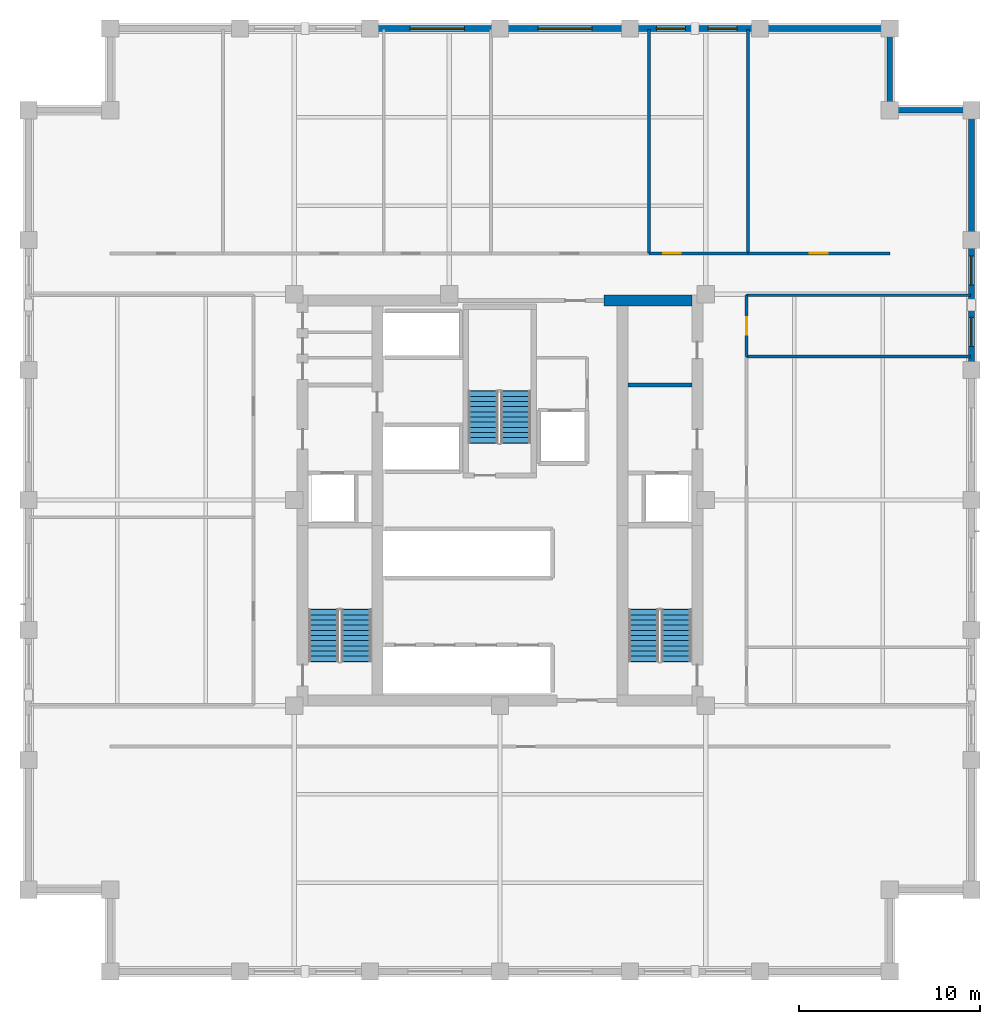
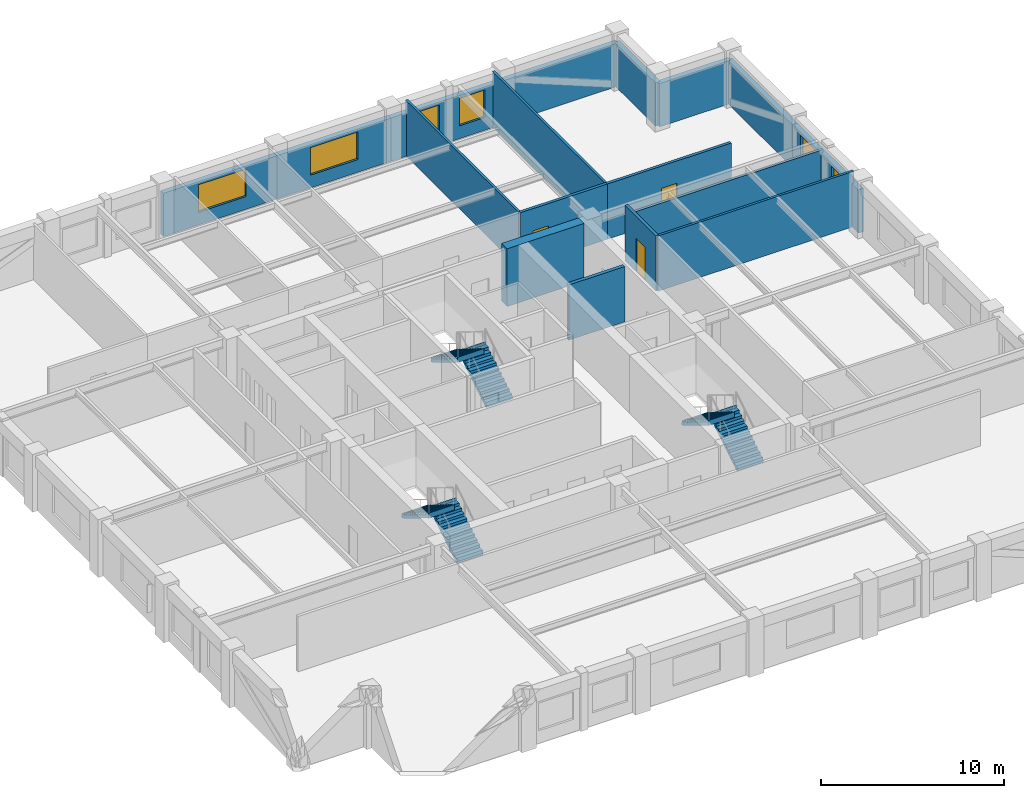
# One storey, part 8 of 9: 17 walls, 6 stair flights, 6 windows, 3 doors, 9 openings, 3 elements without a shape of their own.
"""IFC4 building model written with IfcOpenShell, lengths in metres."""

from ifc_helpers import new_model, si_unit, direction, frame, frame_2d, origin, place, context, subcontext, project, spatial, polyline, rectangle, outline, extrude, material, layer, layer_set, type_object, element, fill, aggregate, save


model = new_model("IFC4")

# Units and contexts
model_context = context("Model", 3, precision=1e-05, world=origin(), true_north=direction((0.0, 1.0)))
body_context = subcontext(model_context, "Body", "Model", "MODEL_VIEW")
ifc_project = project(units=[si_unit("LENGTHUNIT", "METRE"), si_unit("AREAUNIT", "SQUARE_METRE"), si_unit("VOLUMEUNIT", "CUBIC_METRE"), si_unit("PLANEANGLEUNIT", "RADIAN"), si_unit("MASSUNIT", "GRAM", prefix="KILO")], contexts=[model_context])

# Site, building, storey
site_placement = place(None, origin())
site = spatial("IfcSite", under=ifc_project, at=site_placement, CompositionType="ELEMENT")
building_placement = place(site_placement, origin())
building = spatial("IfcBuilding", under=site, at=building_placement, Name="Nhamokura Convention Tower", CompositionType="ELEMENT")
storey_placement = place(building_placement, frame((0.0, 0.0, 118.300048828125)))
storey = spatial("IfcBuildingStorey", under=building, at=storey_placement, Name="L28", CompositionType="ELEMENT", Elevation=118.300048828125)

# Wall, opening, window
ifc_material_1 = material(Name="Bronze-pigmented precast concrete C45/55", Category="concrete")
ifc_layer_1 = layer(ifc_material_1, 0.320068359375)
ifc_layer_set_1 = layer_set([ifc_layer_1], Name="BronzePrecastSpandrel_320")
wall_type_1 = type_object("IfcWallType", Name="BronzePrecastSpandrel_320", PredefinedType="USERDEFINED", material=ifc_layer_set_1)
wall_1_placement = place(storey_placement, frame((24.833251953125, 58.0, 0.0), z_axis=(0.0, 0.0, 1.0), x_axis=(1.0, 0.0, 0.0)))
wall_1 = element("IfcWall", 1, at=wall_1_placement, inside=storey, type_object=wall_type_1, Name="L28 Masonry-Frame Wall NORTH 2", ObjectType="SPANDREL_WALL", PredefinedType="USERDEFINED", context=body_context, shape_type="SweptSolid", body=[
    extrude(rectangle(XDim=7.166748046875, YDim=0.320068359375, at=frame_2d((3.58349609375, 0.0))), origin(), (0.0, 0.0, 1.0), 2.885009765625),
])
opening_1_placement = place(wall_1_placement, frame((2.208251953125, 0.0, 0.85009765625)))
opening_1 = element("IfcOpeningElement", 2, at=opening_1_placement, cuts=wall_1, Name="Opening W-05", PredefinedType="OPENING", context=body_context, shape_type="SweptSolid", body=[
    extrude(rectangle(XDim=3.0, YDim=1.8349609375, at=frame_2d((1.5, 0.91748046875))), frame((0.0, 0.169921875, 0.0), z_axis=(0.0, -1.0, 0.0), x_axis=(1.0, 0.0, 0.0)), (0.0, 0.0, 1.0), 0.340087890625),
])
ifc_material_2 = material(Name="Solar-control bronze low-E double glass", Category="glass")
window_type_1 = type_object("IfcWindowType", Name="OfficeModuleWindow_Z2_3000", PartitioningType="DOUBLE_PANEL_VERTICAL", PredefinedType="WINDOW", material=ifc_material_2)
window_1_placement = place(opening_1_placement, origin())
window_1 = element("IfcWindow", 3, at=window_1_placement, inside=storey, type_object=window_type_1, Name="L28 Facade Window NORTH 2", OverallHeight=1.8349609375, OverallWidth=3.0, PartitioningType="SINGLE_PANEL", PredefinedType="WINDOW", context=body_context, shape_type="SweptSolid", body=[
    extrude(rectangle(XDim=3.0, YDim=1.8349609375, at=frame_2d((1.5, 0.91748046875))), frame((0.0, 0.030029296875, 0.0), z_axis=(0.0, -1.0, 0.0), x_axis=(1.0, 0.0, 0.0)), (0.0, 0.0, 1.0), 0.06005859375),
])
fill(opening_1, window_1)

wall_2_placement = place(storey_placement, frame((32.0, 58.0, 0.0), z_axis=(0.0, 0.0, 1.0), x_axis=(1.0, 0.0, 0.0)))
wall_2 = element("IfcWall", 4, at=wall_2_placement, inside=storey, type_object=wall_type_1, Name="L28 Masonry-Frame Wall NORTH 3", ObjectType="SPANDREL_WALL", PredefinedType="USERDEFINED", context=body_context, shape_type="SweptSolid", body=[
    extrude(rectangle(XDim=7.166748046875, YDim=0.320068359375, at=frame_2d((3.58349609375, 0.0))), origin(), (0.0, 0.0, 1.0), 2.885009765625),
])
opening_2_placement = place(wall_2_placement, frame((2.083251953125, 0.0, 0.85009765625)))
opening_2 = element("IfcOpeningElement", 5, at=opening_2_placement, cuts=wall_2, Name="Opening W-05", PredefinedType="OPENING", context=body_context, shape_type="SweptSolid", body=[
    extrude(rectangle(XDim=3.0, YDim=1.8349609375, at=frame_2d((1.5, 0.91748046875))), frame((0.0, 0.169921875, 0.0), z_axis=(0.0, -1.0, 0.0), x_axis=(1.0, 0.0, 0.0)), (0.0, 0.0, 1.0), 0.340087890625),
])
window_2_placement = place(opening_2_placement, origin())
window_2 = element("IfcWindow", 6, at=window_2_placement, inside=storey, type_object=window_type_1, Name="L28 Facade Window NORTH 3", OverallHeight=1.8349609375, OverallWidth=3.0, PartitioningType="SINGLE_PANEL", PredefinedType="WINDOW", context=body_context, shape_type="SweptSolid", body=[
    extrude(rectangle(XDim=3.0, YDim=1.8349609375, at=frame_2d((1.5, 0.91748046875))), frame((0.0, 0.030029296875, 0.0), z_axis=(0.0, -1.0, 0.0), x_axis=(1.0, 0.0, 0.0)), (0.0, 0.0, 1.0), 0.06005859375),
])
fill(opening_2, window_2)

# Wall, openings, windows
wall_3_placement = place(storey_placement, frame((39.166748046875, 58.0, 0.0), z_axis=(0.0, 0.0, 1.0), x_axis=(1.0, 0.0, 0.0)))
wall_3 = element("IfcWall", 7, at=wall_3_placement, inside=storey, type_object=wall_type_1, Name="L28 Masonry-Frame Wall NORTH 4", ObjectType="SPANDREL_WALL", PredefinedType="USERDEFINED", context=body_context, shape_type="SweptSolid", body=[
    extrude(rectangle(XDim=7.16650390625, YDim=0.320068359375, at=frame_2d((3.583251953125, 0.0))), origin(), (0.0, 0.0, 1.0), 2.885009765625),
])
opening_3_placement = place(wall_3_placement, frame((1.4541015625, 0.0, 0.85009765625)))
opening_3 = element("IfcOpeningElement", 8, at=opening_3_placement, cuts=wall_3, Name="Opening W-11", PredefinedType="OPENING", context=body_context, shape_type="SweptSolid", body=[
    extrude(rectangle(XDim=1.60009765625, YDim=1.8349609375, at=frame_2d((0.800048828125, 0.91748046875))), frame((0.0, 0.169921875, 0.0), z_axis=(0.0, -1.0, 0.0), x_axis=(1.0, 0.0, 0.0)), (0.0, 0.0, 1.0), 0.340087890625),
])
opening_4_placement = place(wall_3_placement, frame((4.3125, 0.0, 0.85009765625)))
opening_4 = element("IfcOpeningElement", 9, at=opening_4_placement, cuts=wall_3, Name="Opening W-11", PredefinedType="OPENING", context=body_context, shape_type="SweptSolid", body=[
    extrude(rectangle(XDim=1.60009765625, YDim=1.8349609375, at=frame_2d((0.800048828125, 0.91748046875))), frame((0.0, 0.169921875, 0.0), z_axis=(0.0, -1.0, 0.0), x_axis=(1.0, 0.0, 0.0)), (0.0, 0.0, 1.0), 0.340087890625),
])
ifc_material_3 = material(Name="Solar-control bronze low-E double glass", Category="glass")
window_type_2 = type_object("IfcWindowType", Name="NotchCornerWindow_1600", PartitioningType="SINGLE_PANEL", PredefinedType="WINDOW", material=ifc_material_3)
window_3_placement = place(opening_3_placement, origin())
window_3 = element("IfcWindow", 10, at=window_3_placement, inside=storey, type_object=window_type_2, Name="L28 Facade Window NORTH 4-2", OverallHeight=1.8349609375, OverallWidth=1.60009765625, PartitioningType="SINGLE_PANEL", PredefinedType="WINDOW", context=body_context, shape_type="SweptSolid", body=[
    extrude(rectangle(XDim=1.60009765625, YDim=1.8349609375, at=frame_2d((0.800048828125, 0.91748046875))), frame((0.0, 0.030029296875, 0.0), z_axis=(0.0, -1.0, 0.0), x_axis=(1.0, 0.0, 0.0)), (0.0, 0.0, 1.0), 0.06005859375),
])
fill(opening_3, window_3)
window_4_placement = place(opening_4_placement, origin())
window_4 = element("IfcWindow", 11, at=window_4_placement, inside=storey, type_object=window_type_2, Name="L28 Facade Window NORTH 4-3", OverallHeight=1.8349609375, OverallWidth=1.60009765625, PartitioningType="SINGLE_PANEL", PredefinedType="WINDOW", context=body_context, shape_type="SweptSolid", body=[
    extrude(rectangle(XDim=1.60009765625, YDim=1.8349609375, at=frame_2d((0.800048828125, 0.91748046875))), frame((0.0, 0.030029296875, 0.0), z_axis=(0.0, -1.0, 0.0), x_axis=(1.0, 0.0, 0.0)), (0.0, 0.0, 1.0), 0.06005859375),
])
fill(opening_4, window_4)

# Wall
wall_4_placement = place(storey_placement, frame((46.333251953125, 58.0, 0.0), z_axis=(0.0, 0.0, 1.0), x_axis=(1.0, 0.0, 0.0)))
element("IfcWall", 12, at=wall_4_placement, inside=storey, type_object=wall_type_1, Name="L28 Braced-Bay Precast Wall NORTH 5", ObjectType="SPANDREL_WALL", PredefinedType="USERDEFINED", context=body_context, shape_type="SweptSolid", body=[
    extrude(rectangle(XDim=7.166748046875, YDim=0.320068359375, at=frame_2d((3.58349609375, 0.0))), origin(), (0.0, 0.0, 1.0), 2.885009765625),
])

# Wall, openings, windows
wall_5_placement = place(storey_placement, frame((58.0, 46.333251953125, 0.0), z_axis=(0.0, 0.0, 1.0), x_axis=(0.0, -1.0, 0.0)))
wall_5 = element("IfcWall", 13, at=wall_5_placement, inside=storey, type_object=wall_type_1, Name="L28 Masonry-Frame Wall EAST 4", ObjectType="SPANDREL_WALL", PredefinedType="USERDEFINED", context=body_context, shape_type="SweptSolid", body=[
    extrude(rectangle(XDim=7.16650390625, YDim=0.320068359375, at=frame_2d((3.583251953125, 0.0))), origin(), (0.0, 0.0, 1.0), 2.885009765625),
])
opening_5_placement = place(wall_5_placement, frame((0.879150390625, 0.0, 0.85009765625)))
opening_5 = element("IfcOpeningElement", 14, at=opening_5_placement, cuts=wall_5, Name="Opening W-11", PredefinedType="OPENING", context=body_context, shape_type="SweptSolid", body=[
    extrude(rectangle(XDim=1.60009765625, YDim=1.8349609375, at=frame_2d((0.800048828125, 0.91748046875))), frame((0.0, 0.169921875, 0.0), z_axis=(0.0, -1.0, 0.0), x_axis=(1.0, 0.0, 0.0)), (0.0, 0.0, 1.0), 0.340087890625),
])
opening_6_placement = place(wall_5_placement, frame((4.262451171875, 0.0, 0.85009765625)))
opening_6 = element("IfcOpeningElement", 15, at=opening_6_placement, cuts=wall_5, Name="Opening W-11", PredefinedType="OPENING", context=body_context, shape_type="SweptSolid", body=[
    extrude(rectangle(XDim=1.60009765625, YDim=1.8349609375, at=frame_2d((0.800048828125, 0.91748046875))), frame((0.0, 0.169921875, 0.0), z_axis=(0.0, -1.0, 0.0), x_axis=(1.0, 0.0, 0.0)), (0.0, 0.0, 1.0), 0.340087890625),
])
window_5_placement = place(opening_5_placement, origin())
window_5 = element("IfcWindow", 16, at=window_5_placement, inside=storey, type_object=window_type_2, Name="L28 Facade Window EAST 4-1", OverallHeight=1.8349609375, OverallWidth=1.60009765625, PartitioningType="SINGLE_PANEL", PredefinedType="WINDOW", context=body_context, shape_type="SweptSolid", body=[
    extrude(rectangle(XDim=1.60009765625, YDim=1.8349609375, at=frame_2d((0.800048828125, 0.91748046875))), frame((0.0, 0.030029296875, 0.0), z_axis=(0.0, -1.0, 0.0), x_axis=(1.0, 0.0, 0.0)), (0.0, 0.0, 1.0), 0.06005859375),
])
fill(opening_5, window_5)
window_6_placement = place(opening_6_placement, origin())
window_6 = element("IfcWindow", 17, at=window_6_placement, inside=storey, type_object=window_type_2, Name="L28 Facade Window EAST 4-2", OverallHeight=1.8349609375, OverallWidth=1.60009765625, PartitioningType="SINGLE_PANEL", PredefinedType="WINDOW", context=body_context, shape_type="SweptSolid", body=[
    extrude(rectangle(XDim=1.60009765625, YDim=1.8349609375, at=frame_2d((0.800048828125, 0.91748046875))), frame((0.0, 0.030029296875, 0.0), z_axis=(0.0, -1.0, 0.0), x_axis=(1.0, 0.0, 0.0)), (0.0, 0.0, 1.0), 0.06005859375),
])
fill(opening_6, window_6)

# Walls
wall_6_placement = place(storey_placement, frame((58.0, 53.5, 0.0), z_axis=(0.0, 0.0, 1.0), x_axis=(0.0, -1.0, 0.0)))
element("IfcWall", 18, at=wall_6_placement, inside=storey, type_object=wall_type_1, Name="L28 Braced-Bay Precast Wall EAST 5", ObjectType="SPANDREL_WALL", PredefinedType="USERDEFINED", context=body_context, shape_type="SweptSolid", body=[
    extrude(rectangle(XDim=7.166748046875, YDim=0.320068359375, at=frame_2d((3.58349609375, 0.0))), origin(), (0.0, 0.0, 1.0), 2.885009765625),
])
for number, where, z_axis, x_axis, name in (
    (19, (53.5, 53.5, 0.0), (0.0, 0.0, 1.0), (1.0, 0.0, 0.0), "L28 Notched Corner Wall NE1"),
    (20, (53.5, 58.0, 0.0), (0.0, 0.0, 1.0), (0.0, -1.0, 0.0), "L28 Notched Corner Wall NE2"),
):
    element("IfcWall", number, at=place(storey_placement, frame(where, z_axis=z_axis, x_axis=x_axis)), inside=storey, type_object=wall_type_1, Name=name, ObjectType="SPANDREL_WALL", PredefinedType="USERDEFINED", context=body_context, shape_type="SweptSolid", body=[
        extrude(rectangle(XDim=4.5, YDim=0.320068359375, at=frame_2d((2.25, 0.0))), origin(), (0.0, 0.0, 1.0), 2.885009765625),
    ])
ifc_material_4 = material(Name="Concrete C60/75", Category="concrete")
ifc_layer_2 = layer(ifc_material_4, 0.60009765625)
ifc_layer_set_2 = layer_set([ifc_layer_2], Name="CoreShearWall_600")
wall_type_2 = type_object("IfcWallType", Name="CoreShearWall_600", PredefinedType="SHEAR", material=ifc_layer_set_2)
wall_7_placement = place(storey_placement, frame((37.75, 43.0, 0.0), z_axis=(0.0, 0.0, 1.0), x_axis=(1.0, 0.0, 0.0)))
element("IfcWall", 21, at=wall_7_placement, inside=storey, type_object=wall_type_2, Name="L28 Core Shear Wall CW-N2", PredefinedType="SHEAR", context=body_context, shape_type="SweptSolid", body=[
    extrude(rectangle(XDim=4.840087890625, YDim=0.60009765625, at=frame_2d((2.419921875, 0.0))), origin(), (0.0, 0.0, 1.0), 3.849853515625),
])

# Wall, opening, door
ifc_material_5 = material(Name="Fire-rated gypsum and masonry partition", Category="masonry")
ifc_layer_3 = layer(ifc_material_5, 0.179931640625)
ifc_layer_set_3 = layer_set([ifc_layer_3], Name="CorridorRatedWall_180")
wall_type_3 = type_object("IfcWallType", Name="CorridorRatedWall_180", PredefinedType="STANDARD", material=ifc_layer_set_3)
wall_8_placement = place(storey_placement, frame((40.216796875, 45.60009765625, 0.0), z_axis=(0.0, 0.0, 1.0), x_axis=(1.0, 0.0, 0.0)))
wall_8 = element("IfcWall", 22, at=wall_8_placement, inside=storey, type_object=wall_type_3, Name="L28 Wall INT-L28-CW-N04", PredefinedType="STANDARD", context=body_context, shape_type="SweptSolid", body=[
    extrude(rectangle(XDim=5.466552734375, YDim=0.179931640625, at=frame_2d((2.7333984375, 0.0))), origin(), (0.0, 0.0, 1.0), 3.68505859375),
])
opening_7_placement = place(wall_8_placement, frame((0.783203125, 0.0, 0.0)))
opening_7 = element("IfcOpeningElement", 23, at=opening_7_placement, cuts=wall_8, Name="Opening D-08", PredefinedType="OPENING", context=body_context, shape_type="SweptSolid", body=[
    extrude(rectangle(XDim=0.97998046875, YDim=2.199951171875, at=frame_2d((0.489990234375, 1.10009765625))), frame((0.0, 0.099853515625, 0.0), z_axis=(0.0, -1.0, 0.0), x_axis=(1.0, 0.0, 0.0)), (0.0, 0.0, 1.0), 0.199951171875),
])
ifc_material_6 = material(Name="Solid oak hardwood", Category="wood")
door_type = type_object("IfcDoorType", Name="OfficeEntryDoor_980", OperationType="NOTDEFINED", PredefinedType="DOOR", material=ifc_material_6)
door_1_placement = place(opening_7_placement, origin())
door_1 = element("IfcDoor", 24, at=door_1_placement, inside=storey, type_object=door_type, Name="L28 Private Office N05 Door", OperationType="SINGLE_SWING_LEFT", OverallHeight=2.199951171875, OverallWidth=0.97998046875, PredefinedType="DOOR", context=body_context, shape_type="SweptSolid", body=[
    extrude(rectangle(XDim=0.97998046875, YDim=2.199951171875, at=frame_2d((0.489990234375, 1.10009765625))), frame((0.0, 0.02490234375, 0.0), z_axis=(0.0, -1.0, 0.0), x_axis=(1.0, 0.0, 0.0)), (0.0, 0.0, 1.0), 0.050048828125),
])
fill(opening_7, door_1)

wall_9_placement = place(storey_placement, frame((45.683349609375, 45.60009765625, 0.0), z_axis=(0.0, 0.0, 1.0), x_axis=(1.0, 0.0, 0.0)))
wall_9 = element("IfcWall", 25, at=wall_9_placement, inside=storey, type_object=wall_type_3, Name="L28 Wall INT-L28-CW-N05", PredefinedType="STANDARD", context=body_context, shape_type="SweptSolid", body=[
    extrude(rectangle(XDim=7.816650390625, YDim=0.179931640625, at=frame_2d((3.908203125, 0.0))), origin(), (0.0, 0.0, 1.0), 3.68505859375),
])
opening_8_placement = place(wall_9_placement, frame((3.408203125, 0.0, 0.0)))
opening_8 = element("IfcOpeningElement", 26, at=opening_8_placement, cuts=wall_9, Name="Opening D-08", PredefinedType="OPENING", context=body_context, shape_type="SweptSolid", body=[
    extrude(rectangle(XDim=0.97998046875, YDim=2.199951171875, at=frame_2d((0.489990234375, 1.10009765625))), frame((0.0, 0.099853515625, 0.0), z_axis=(0.0, -1.0, 0.0), x_axis=(1.0, 0.0, 0.0)), (0.0, 0.0, 1.0), 0.199951171875),
])
door_2_placement = place(opening_8_placement, origin())
door_2 = element("IfcDoor", 27, at=door_2_placement, inside=storey, type_object=door_type, Name="L28 Meeting Room N06 Door", OperationType="SINGLE_SWING_RIGHT", OverallHeight=2.199951171875, OverallWidth=0.97998046875, PredefinedType="DOOR", context=body_context, shape_type="SweptSolid", body=[
    extrude(rectangle(XDim=0.97998046875, YDim=2.199951171875, at=frame_2d((0.489990234375, 1.10009765625))), frame((0.0, 0.02490234375, 0.0), z_axis=(0.0, -1.0, 0.0), x_axis=(1.0, 0.0, 0.0)), (0.0, 0.0, 1.0), 0.050048828125),
])
fill(opening_8, door_2)

wall_10_placement = place(storey_placement, frame((45.60009765625, 39.916748046875, 0.0), z_axis=(0.0, 0.0, 1.0), x_axis=(0.0, 1.0, 0.0)))
wall_10 = element("IfcWall", 28, at=wall_10_placement, inside=storey, type_object=wall_type_3, Name="L28 Wall INT-L28-CW-E02", PredefinedType="STANDARD", context=body_context, shape_type="SweptSolid", body=[
    extrude(rectangle(XDim=3.38330078125, YDim=0.179931640625, at=frame_2d((1.691650390625, 0.0))), origin(), (0.0, 0.0, 1.0), 3.68505859375),
])
opening_9_placement = place(wall_10_placement, frame((1.191650390625, 0.0, 0.0)))
opening_9 = element("IfcOpeningElement", 29, at=opening_9_placement, cuts=wall_10, Name="Opening D-08", PredefinedType="OPENING", context=body_context, shape_type="SweptSolid", body=[
    extrude(rectangle(XDim=0.97998046875, YDim=2.199951171875, at=frame_2d((0.489990234375, 1.10009765625))), frame((0.0, 0.099853515625, 0.0), z_axis=(0.0, -1.0, 0.0), x_axis=(1.0, 0.0, 0.0)), (0.0, 0.0, 1.0), 0.199951171875),
])
door_3_placement = place(opening_9_placement, origin())
door_3 = element("IfcDoor", 30, at=door_3_placement, inside=storey, type_object=door_type, Name="L28 Collaboration Lounge E03 Door", OperationType="SINGLE_SWING_LEFT", OverallHeight=2.199951171875, OverallWidth=0.97998046875, PredefinedType="DOOR", context=body_context, shape_type="SweptSolid", body=[
    extrude(rectangle(XDim=0.97998046875, YDim=2.199951171875, at=frame_2d((0.489990234375, 1.10009765625))), frame((0.0, 0.02490234375, 0.0), z_axis=(0.0, -1.0, 0.0), x_axis=(1.0, 0.0, 0.0)), (0.0, 0.0, 1.0), 0.050048828125),
])
fill(opening_9, door_3)

# Walls
ifc_material_7 = material(Name="Autoclaved concrete blockwork", Category="masonry")
ifc_layer_4 = layer(ifc_material_7, 0.219970703125)
ifc_layer_set_4 = layer_set([ifc_layer_4], Name="FireLobbyWall_220")
wall_type_4 = type_object("IfcWallType", Name="FireLobbyWall_220", PredefinedType="STANDARD", material=ifc_layer_set_4)
wall_11_placement = place(storey_placement, frame((39.06005859375, 38.35009765625, 0.0), z_axis=(0.0, 0.0, 1.0), x_axis=(1.0, 0.0, 0.0)))
element("IfcWall", 31, at=wall_11_placement, inside=storey, type_object=wall_type_4, Name="L28 Wall INT-L28-FFE-N", PredefinedType="STANDARD", context=body_context, shape_type="SweptSolid", body=[
    extrude(rectangle(XDim=3.530029296875, YDim=0.219970703125, at=frame_2d((1.76513671875, 0.0))), origin(), (0.0, 0.0, 1.0), 3.68505859375),
])
ifc_material_8 = material(Name="Acoustic gypsum stud partition", Category="masonry")
ifc_layer_5 = layer(ifc_material_8, 0.14990234375)
ifc_layer_set_5 = layer_set([ifc_layer_5], Name="InteriorPartition_150")
wall_type_5 = type_object("IfcWallType", Name="InteriorPartition_150", PredefinedType="STANDARD", material=ifc_layer_set_5)
for number, where, z_axis, x_axis, name in (
    (32, (40.216796875, 45.60009765625, 0.0), (0.0, 0.0, 1.0), (0.0, 1.0, 0.0), "L28 Wall INT-L28-RW-N04"),
    (33, (45.683349609375, 45.60009765625, 0.0), (0.0, 0.0, 1.0), (0.0, 1.0, 0.0), "L28 Wall INT-L28-RW-N05"),
):
    element("IfcWall", number, at=place(storey_placement, frame(where, z_axis=z_axis, x_axis=x_axis)), inside=storey, type_object=wall_type_5, Name=name, PredefinedType="STANDARD", context=body_context, shape_type="SweptSolid", body=[
        extrude(rectangle(XDim=12.33984375, YDim=0.14990234375, at=frame_2d((6.169921875, 0.0))), origin(), (0.0, 0.0, 1.0), 3.68505859375),
    ])
wall_12_placement = place(storey_placement, frame((45.60009765625, 43.300048828125, 0.0), z_axis=(0.0, 0.0, 1.0), x_axis=(1.0, 0.0, 0.0)))
element("IfcWall", 34, at=wall_12_placement, inside=storey, type_object=wall_type_5, Name="L28 Wall INT-L28-RWT-E", PredefinedType="STANDARD", context=body_context, shape_type="SweptSolid", body=[
    extrude(rectangle(XDim=12.33984375, YDim=0.14990234375, at=frame_2d((6.169921875, 0.0))), origin(), (0.0, 0.0, 1.0), 3.06494140625),
])
wall_13_placement = place(storey_placement, frame((45.60009765625, 39.916748046875, 0.0), z_axis=(0.0, 0.0, 1.0), x_axis=(1.0, 0.0, 0.0)))
element("IfcWall", 35, at=wall_13_placement, inside=storey, type_object=wall_type_5, Name="L28 Wall INT-L28-RW-E02", PredefinedType="STANDARD", context=body_context, shape_type="SweptSolid", body=[
    extrude(rectangle(XDim=12.33984375, YDim=0.14990234375, at=frame_2d((6.169921875, 0.0))), origin(), (0.0, 0.0, 1.0), 3.68505859375),
])

# Stair, stair flights
ifc_material_9 = material(Name="Concrete C40/50", Category="concrete")
stair_type = type_object("IfcStairType", Name="TowerCoreStair_1650", PredefinedType="HALF_TURN_STAIR", material=ifc_material_9)
stair_1_placement = place(storey_placement, origin())
stair_1 = element("IfcStair", 36, at=stair_1_placement, inside=storey, type_object=stair_type, Name="L28 West Core Smokeproof Stair ST-01", PredefinedType="HALF_TURN_STAIR")
ifc_material_10 = material(Name="Concrete C40/50", Category="concrete")
stair_flight_type = type_object("IfcStairFlightType", Name="TowerCoreStair_1650_Flight", PredefinedType="STRAIGHT", material=ifc_material_10)
stair_flight_1_placement = place(storey_placement, frame((24.074951171875, 23.10009765625, 0.0), z_axis=(0.0, 0.0, 1.0), x_axis=(0.0, 1.0, 0.0)))
stair_flight_1 = element("IfcStairFlight", 37, at=stair_flight_1_placement, type_object=stair_flight_type, Name="ST-01 flight 1", NumberOfRisers=11, NumberOfTreads=10, PredefinedType="STRAIGHT", RiserHeight=0.175, TreadLength=0.285, context=body_context, shape_type="SweptSolid", body=[
    extrude(outline(polyline([(-0.0419921875, 0.0), (0.0, 0.175048828125), (0.284912109375, 0.175048828125), (0.284912109375, 0.35009765625), (0.570068359375, 0.35009765625), (0.570068359375, 0.52490234375), (0.85498046875, 0.52490234375), (0.85498046875, 0.699951171875), (1.139892578125, 0.699951171875), (1.139892578125, 0.875), (1.425048828125, 0.875), (1.425048828125, 1.050048828125), (1.7099609375, 1.050048828125), (1.7099609375, 1.22509765625), (1.9951171875, 1.22509765625), (1.9951171875, 1.39990234375), (2.280029296875, 1.39990234375), (2.280029296875, 1.574951171875), (2.56494140625, 1.574951171875), (2.56494140625, 1.75), (2.85009765625, 1.75), (2.85009765625, 1.925048828125), (2.89208984375, 1.925048828125), (2.89208984375, 1.573974609375), (2.85009765625, 1.573974609375), (0.286376953125, 0.0), (0.02001953125, -0.1298828125), (-0.0419921875, -0.1298828125), (-0.0419921875, 0.0)])), frame((0.0, 0.824951171875, 0.0), z_axis=(0.0, -1.0, 0.0), x_axis=(1.0, 0.0, 0.0)), (0.0, 0.0, 1.0), 1.64990234375),
])
stair_flight_2_placement = place(storey_placement, frame((22.27490234375, 25.949951171875, 1.925048828125), z_axis=(0.0, 0.0, 1.0), x_axis=(0.0, -1.0, 0.0)))
stair_flight_2 = element("IfcStairFlight", 38, at=stair_flight_2_placement, type_object=stair_flight_type, Name="ST-01 flight 2", NumberOfRisers=11, NumberOfTreads=10, PredefinedType="STRAIGHT", RiserHeight=0.175, TreadLength=0.285, context=body_context, shape_type="SweptSolid", body=[
    extrude(outline(polyline([(-0.0419921875, 0.0), (0.0, 0.175048828125), (0.284912109375, 0.175048828125), (0.284912109375, 0.35009765625), (0.570068359375, 0.35009765625), (0.570068359375, 0.52490234375), (0.85498046875, 0.52490234375), (0.85498046875, 0.699951171875), (1.139892578125, 0.699951171875), (1.139892578125, 0.875), (1.425048828125, 0.875), (1.425048828125, 1.050048828125), (1.7099609375, 1.050048828125), (1.7099609375, 1.22509765625), (1.9951171875, 1.22509765625), (1.9951171875, 1.39990234375), (2.280029296875, 1.39990234375), (2.280029296875, 1.574951171875), (2.56494140625, 1.574951171875), (2.56494140625, 1.75), (2.85009765625, 1.75), (2.85009765625, 1.925048828125), (2.89208984375, 1.925048828125), (2.89208984375, 1.573974609375), (2.85009765625, 1.573974609375), (0.286376953125, 0.0), (0.02001953125, -0.1298828125), (-0.0419921875, -0.1298828125), (-0.0419921875, 0.0)])), frame((0.0, 0.824951171875, 0.0), z_axis=(0.0, -1.0, 0.0), x_axis=(1.0, 0.0, 0.0)), (0.0, 0.0, 1.0), 1.64990234375),
])
aggregate(stair_1, [stair_flight_1, stair_flight_2])

stair_2_placement = place(storey_placement, origin())
stair_2 = element("IfcStair", 39, at=stair_2_placement, inside=storey, type_object=stair_type, Name="L28 East Core Smokeproof Stair ST-02", PredefinedType="HALF_TURN_STAIR")
stair_flight_3_placement = place(storey_placement, frame((41.72509765625, 23.10009765625, 0.0), z_axis=(0.0, 0.0, 1.0), x_axis=(0.0, 1.0, 0.0)))
stair_flight_3 = element("IfcStairFlight", 40, at=stair_flight_3_placement, type_object=stair_flight_type, Name="ST-02 flight 1", NumberOfRisers=11, NumberOfTreads=10, PredefinedType="STRAIGHT", RiserHeight=0.175, TreadLength=0.285, context=body_context, shape_type="SweptSolid", body=[
    extrude(outline(polyline([(-0.0419921875, 0.0), (0.0, 0.175048828125), (0.284912109375, 0.175048828125), (0.284912109375, 0.35009765625), (0.570068359375, 0.35009765625), (0.570068359375, 0.52490234375), (0.85498046875, 0.52490234375), (0.85498046875, 0.699951171875), (1.139892578125, 0.699951171875), (1.139892578125, 0.875), (1.425048828125, 0.875), (1.425048828125, 1.050048828125), (1.7099609375, 1.050048828125), (1.7099609375, 1.22509765625), (1.9951171875, 1.22509765625), (1.9951171875, 1.39990234375), (2.280029296875, 1.39990234375), (2.280029296875, 1.574951171875), (2.56494140625, 1.574951171875), (2.56494140625, 1.75), (2.85009765625, 1.75), (2.85009765625, 1.925048828125), (2.89208984375, 1.925048828125), (2.89208984375, 1.573974609375), (2.85009765625, 1.573974609375), (0.286376953125, 0.0), (0.02001953125, -0.1298828125), (-0.0419921875, -0.1298828125), (-0.0419921875, 0.0)])), frame((0.0, 0.824951171875, 0.0), z_axis=(0.0, -1.0, 0.0), x_axis=(1.0, 0.0, 0.0)), (0.0, 0.0, 1.0), 1.64990234375),
])
stair_flight_4_placement = place(storey_placement, frame((39.925048828125, 25.949951171875, 1.925048828125), z_axis=(0.0, 0.0, 1.0), x_axis=(0.0, -1.0, 0.0)))
stair_flight_4 = element("IfcStairFlight", 41, at=stair_flight_4_placement, type_object=stair_flight_type, Name="ST-02 flight 2", NumberOfRisers=11, NumberOfTreads=10, PredefinedType="STRAIGHT", RiserHeight=0.175, TreadLength=0.285, context=body_context, shape_type="SweptSolid", body=[
    extrude(outline(polyline([(-0.0419921875, 0.0), (0.0, 0.175048828125), (0.284912109375, 0.175048828125), (0.284912109375, 0.35009765625), (0.570068359375, 0.35009765625), (0.570068359375, 0.52490234375), (0.85498046875, 0.52490234375), (0.85498046875, 0.699951171875), (1.139892578125, 0.699951171875), (1.139892578125, 0.875), (1.425048828125, 0.875), (1.425048828125, 1.050048828125), (1.7099609375, 1.050048828125), (1.7099609375, 1.22509765625), (1.9951171875, 1.22509765625), (1.9951171875, 1.39990234375), (2.280029296875, 1.39990234375), (2.280029296875, 1.574951171875), (2.56494140625, 1.574951171875), (2.56494140625, 1.75), (2.85009765625, 1.75), (2.85009765625, 1.925048828125), (2.89208984375, 1.925048828125), (2.89208984375, 1.573974609375), (2.85009765625, 1.573974609375), (0.286376953125, 0.0), (0.02001953125, -0.1298828125), (-0.0419921875, -0.1298828125), (-0.0419921875, 0.0)])), frame((0.0, 0.824951171875, 0.0), z_axis=(0.0, -1.0, 0.0), x_axis=(1.0, 0.0, 0.0)), (0.0, 0.0, 1.0), 1.64990234375),
])
aggregate(stair_2, [stair_flight_3, stair_flight_4])

stair_3_placement = place(storey_placement, origin())
stair_3 = element("IfcStair", 42, at=stair_3_placement, inside=storey, type_object=stair_type, Name="L28 North Core Smokeproof Stair ST-03", PredefinedType="HALF_TURN_STAIR")
stair_flight_5_placement = place(storey_placement, frame((32.875, 35.14990234375, 0.0), z_axis=(0.0, 0.0, 1.0), x_axis=(0.0, 1.0, 0.0)))
stair_flight_5 = element("IfcStairFlight", 43, at=stair_flight_5_placement, type_object=stair_flight_type, Name="ST-03 flight 1", NumberOfRisers=11, NumberOfTreads=10, PredefinedType="STRAIGHT", RiserHeight=0.175, TreadLength=0.285, context=body_context, shape_type="SweptSolid", body=[
    extrude(outline(polyline([(-0.0419921875, 0.0), (0.0, 0.175048828125), (0.284912109375, 0.175048828125), (0.284912109375, 0.35009765625), (0.570068359375, 0.35009765625), (0.570068359375, 0.52490234375), (0.85498046875, 0.52490234375), (0.85498046875, 0.699951171875), (1.139892578125, 0.699951171875), (1.139892578125, 0.875), (1.425048828125, 0.875), (1.425048828125, 1.050048828125), (1.7099609375, 1.050048828125), (1.7099609375, 1.22509765625), (1.9951171875, 1.22509765625), (1.9951171875, 1.39990234375), (2.280029296875, 1.39990234375), (2.280029296875, 1.574951171875), (2.56494140625, 1.574951171875), (2.56494140625, 1.75), (2.85009765625, 1.75), (2.85009765625, 1.925048828125), (2.89208984375, 1.925048828125), (2.89208984375, 1.573974609375), (2.85009765625, 1.573974609375), (0.286376953125, 0.0), (0.02001953125, -0.1298828125), (-0.0419921875, -0.1298828125), (-0.0419921875, 0.0)])), frame((0.0, 0.824951171875, 0.0), z_axis=(0.0, -1.0, 0.0), x_axis=(1.0, 0.0, 0.0)), (0.0, 0.0, 1.0), 1.64990234375),
])
stair_flight_6_placement = place(storey_placement, frame((31.074951171875, 38.0, 1.925048828125), z_axis=(0.0, 0.0, 1.0), x_axis=(0.0, -1.0, 0.0)))
stair_flight_6 = element("IfcStairFlight", 44, at=stair_flight_6_placement, type_object=stair_flight_type, Name="ST-03 flight 2", NumberOfRisers=11, NumberOfTreads=10, PredefinedType="STRAIGHT", RiserHeight=0.175, TreadLength=0.285, context=body_context, shape_type="SweptSolid", body=[
    extrude(outline(polyline([(-0.0419921875, 0.0), (0.0, 0.175048828125), (0.284912109375, 0.175048828125), (0.284912109375, 0.35009765625), (0.570068359375, 0.35009765625), (0.570068359375, 0.52490234375), (0.85498046875, 0.52490234375), (0.85498046875, 0.699951171875), (1.139892578125, 0.699951171875), (1.139892578125, 0.875), (1.425048828125, 0.875), (1.425048828125, 1.050048828125), (1.7099609375, 1.050048828125), (1.7099609375, 1.22509765625), (1.9951171875, 1.22509765625), (1.9951171875, 1.39990234375), (2.280029296875, 1.39990234375), (2.280029296875, 1.574951171875), (2.56494140625, 1.574951171875), (2.56494140625, 1.75), (2.85009765625, 1.75), (2.85009765625, 1.925048828125), (2.89208984375, 1.925048828125), (2.89208984375, 1.573974609375), (2.85009765625, 1.573974609375), (0.286376953125, 0.0), (0.02001953125, -0.1298828125), (-0.0419921875, -0.1298828125), (-0.0419921875, 0.0)])), frame((0.0, 0.824951171875, 0.0), z_axis=(0.0, -1.0, 0.0), x_axis=(1.0, 0.0, 0.0)), (0.0, 0.0, 1.0), 1.64990234375),
])
aggregate(stair_3, [stair_flight_5, stair_flight_6])

save(model, "model.ifc")
